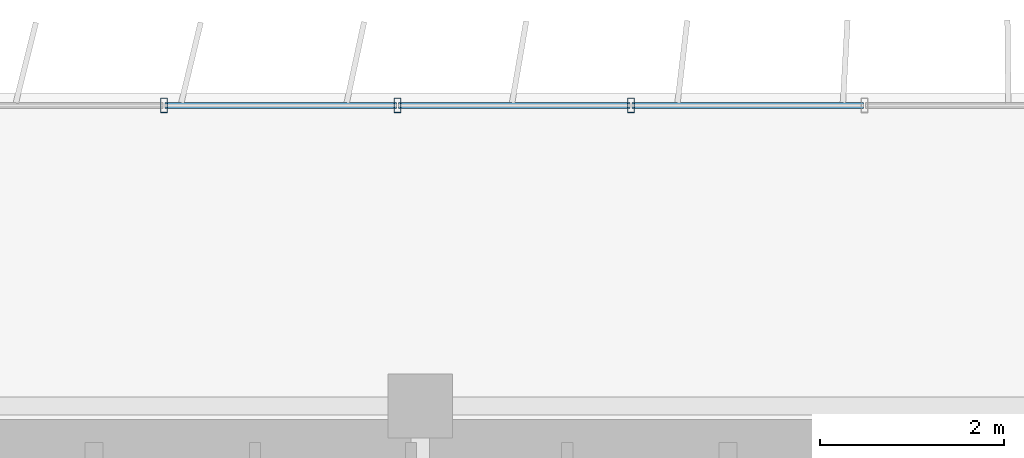
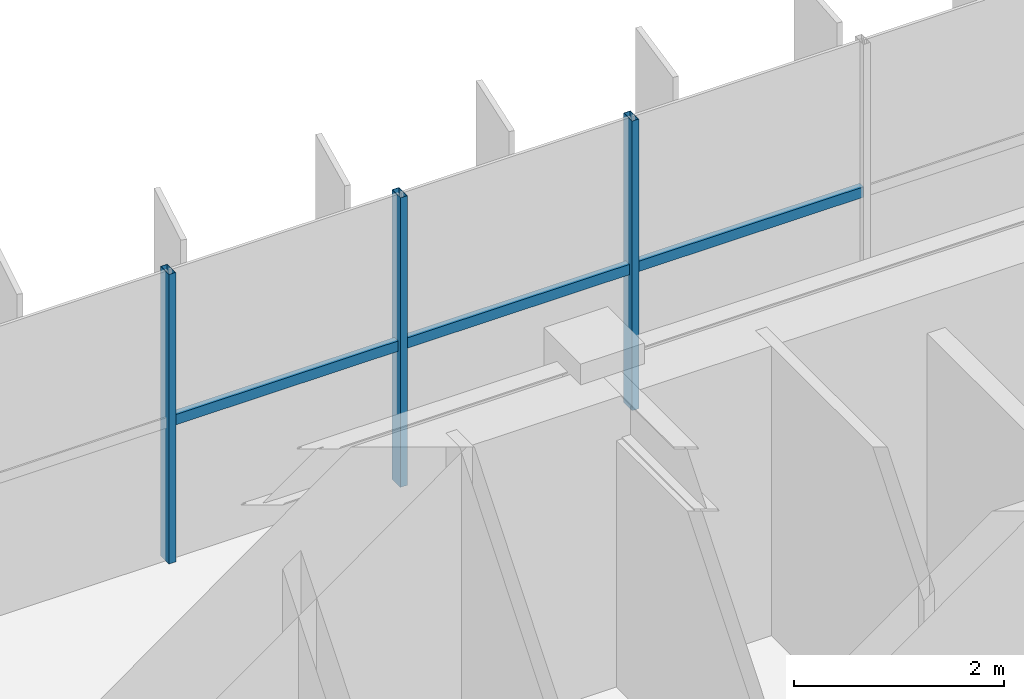
# One storey, part 11 of 23: 6 members, 1 element without a shape of its own.
"""IFC4 building model written with IfcOpenShell, lengths in metres."""

from ifc_helpers import new_model, si_unit, direction, frame, origin, origin_2d, place, context, subcontext, project, spatial, hollow_rectangle, extrude, source, transform, mapped, material, material_profile, profile_set, type_object, element, aggregate, save


model = new_model("IFC4")

# Units and contexts
model_context = context("Model", 3, precision=1e-05, world=origin(), true_north=direction((0.0, 1.0)))
body_context = subcontext(model_context, "Body", "Model", "MODEL_VIEW")
ifc_project = project(units=[si_unit("LENGTHUNIT", "METRE"), si_unit("AREAUNIT", "SQUARE_METRE"), si_unit("VOLUMEUNIT", "CUBIC_METRE"), si_unit("PLANEANGLEUNIT", "RADIAN"), si_unit("MASSUNIT", "GRAM", prefix="KILO")], contexts=[model_context])

# Site, building, storey
site_placement = place(None, origin())
site = spatial("IfcSite", under=ifc_project, at=site_placement, CompositionType="ELEMENT")
building_placement = place(site_placement, origin())
building = spatial("IfcBuilding", under=site, at=building_placement, Name="Trelvane Seafront Commons", CompositionType="ELEMENT")
storey_placement = place(building_placement, frame((0.0, 0.0, 204.89990234375)))
storey = spatial("IfcBuildingStorey", under=building, at=storey_placement, Name="L53", CompositionType="ELEMENT", Elevation=204.89990234375)

# Curtain wall, members
ifc_material = material(Name="Anodised pale-silver aluminium", Category="aluminium")
curtain_wall_type = type_object("IfcCurtainWallType", Name="ARCH-CW5-UPTOWER", PredefinedType="NOTDEFINED", material=ifc_material)
curtain_wall_placement = place(storey_placement, origin())
curtain_wall = element("IfcCurtainWall", 1, at=curtain_wall_placement, inside=storey, type_object=curtain_wall_type, Name="CW-L53-0096", PredefinedType="NOTDEFINED")
ifc_material_profile_1 = material_profile(ifc_material, hollow_rectangle(XDim=0.070068359375, YDim=0.1201171875, WallThickness=0.00390625, at=origin_2d()), Name="TRAN-70x120x4")
ifc_profile_set_1 = profile_set([ifc_material_profile_1], Name="Anodised pale-silver aluminium")
member_type_1 = type_object("IfcMemberType", Name="ARCH-CW-TRAN-120", PredefinedType="USERDEFINED", material=ifc_profile_set_1)
shared_shape_1 = source(origin(), body_context, "Body", "SweptSolid", [
    extrude(hollow_rectangle(XDim=0.070068359375, YDim=0.1201171875, WallThickness=0.00390625, at=origin_2d()), origin(), (0.0, 0.0, 1.0), 2.51708984375),
])
member_1_placement = place(storey_placement, frame((43.56494140625, 48.3701171875, 1.613037109375), z_axis=(1.0, 0.0, 0.0), x_axis=(0.0, 1.0, 0.0)))
member_1 = element("IfcMember", 2, at=member_1_placement, type_object=member_type_1, Name="CW-L53-0096-T11", ObjectType="TRANSOM", PredefinedType="USERDEFINED", context=body_context, shape_type="MappedRepresentation", body=[
    mapped(shared_shape_1, transform((0.0, 0.0, 0.0), x_axis=(1.0, 0.0, 0.0), y_axis=(0.0, 1.0, 0.0), z_axis=(0.0, 0.0, 1.0), scale=1.0)),
])
member_2_placement = place(storey_placement, frame((46.106201171875, 48.3701171875, 1.613037109375), z_axis=(1.0, 0.0, 0.0), x_axis=(0.0, 1.0, 0.0)))
member_2 = element("IfcMember", 3, at=member_2_placement, type_object=member_type_1, Name="CW-L53-0096-T12", ObjectType="TRANSOM", PredefinedType="USERDEFINED", context=body_context, shape_type="MappedRepresentation", body=[
    mapped(shared_shape_1, transform((0.0, 0.0, 0.0), x_axis=(1.0, 0.0, 0.0), y_axis=(0.0, 1.0, 0.0), z_axis=(0.0, 0.0, 1.0), scale=1.0)),
])
shared_shape_2 = source(origin(), body_context, "Body", "SweptSolid", [
    extrude(hollow_rectangle(XDim=0.070068359375, YDim=0.1201171875, WallThickness=0.00390625, at=origin_2d()), origin(), (0.0, 0.0, 1.0), 2.517333984375),
])
member_3_placement = place(storey_placement, frame((41.023681640625, 48.3701171875, 1.613037109375), z_axis=(1.0, 0.0, 0.0), x_axis=(0.0, 1.0, 0.0)))
member_3 = element("IfcMember", 4, at=member_3_placement, type_object=member_type_1, Name="CW-L53-0096-T10", ObjectType="TRANSOM", PredefinedType="USERDEFINED", context=body_context, shape_type="MappedRepresentation", body=[
    mapped(shared_shape_2, transform((0.0, 0.0, 0.0), x_axis=(1.0, 0.0, 0.0), y_axis=(0.0, 1.0, 0.0), z_axis=(0.0, 0.0, 1.0), scale=1.0)),
])
ifc_material_profile_2 = material_profile(ifc_material, hollow_rectangle(XDim=0.074951171875, YDim=0.159912109375, WallThickness=0.00390625, at=origin_2d()), Name="MULL-75x160x4")
ifc_profile_set_2 = profile_set([ifc_material_profile_2], Name="Anodised pale-silver aluminium")
member_type_2 = type_object("IfcMemberType", Name="ARCH-CW-MULL-160", PredefinedType="MULLION", material=ifc_profile_set_2)
shared_shape_3 = source(origin(), body_context, "Body", "SweptSolid", [
    extrude(hollow_rectangle(XDim=0.074951171875, YDim=0.159912109375, WallThickness=0.00390625, at=origin_2d()), origin(), (0.0, 0.0, 1.0), 3.360107421875),
])
member_4_placement = place(storey_placement, frame((41.01171875, 48.3701171875, 0.0), z_axis=(0.0, 0.0, 1.0), x_axis=(1.0, 0.0, 0.0)))
member_4 = element("IfcMember", 5, at=member_4_placement, type_object=member_type_2, Name="CW-L53-0096-M10", PredefinedType="MULLION", context=body_context, shape_type="MappedRepresentation", body=[
    mapped(shared_shape_3, transform((0.0, 0.0, 0.0), x_axis=(1.0, 0.0, 0.0), y_axis=(0.0, 1.0, 0.0), z_axis=(0.0, 0.0, 1.0), scale=1.0)),
])
member_5_placement = place(storey_placement, frame((43.552978515625, 48.3701171875, 0.0), z_axis=(0.0, 0.0, 1.0), x_axis=(1.0, 0.0, 0.0)))
member_5 = element("IfcMember", 6, at=member_5_placement, type_object=member_type_2, Name="CW-L53-0096-M11", PredefinedType="MULLION", context=body_context, shape_type="MappedRepresentation", body=[
    mapped(shared_shape_3, transform((0.0, 0.0, 0.0), x_axis=(1.0, 0.0, 0.0), y_axis=(0.0, 1.0, 0.0), z_axis=(0.0, 0.0, 1.0), scale=1.0)),
])
member_6_placement = place(storey_placement, frame((46.093994140625, 48.3701171875, 0.0), z_axis=(0.0, 0.0, 1.0), x_axis=(1.0, 0.0, 0.0)))
member_6 = element("IfcMember", 7, at=member_6_placement, type_object=member_type_2, Name="CW-L53-0096-M12", PredefinedType="MULLION", context=body_context, shape_type="MappedRepresentation", body=[
    mapped(shared_shape_3, transform((0.0, 0.0, 0.0), x_axis=(1.0, 0.0, 0.0), y_axis=(0.0, 1.0, 0.0), z_axis=(0.0, 0.0, 1.0), scale=1.0)),
])
aggregate(curtain_wall, [member_4, member_5, member_6, member_3, member_1, member_2])

save(model, "model.ifc")
